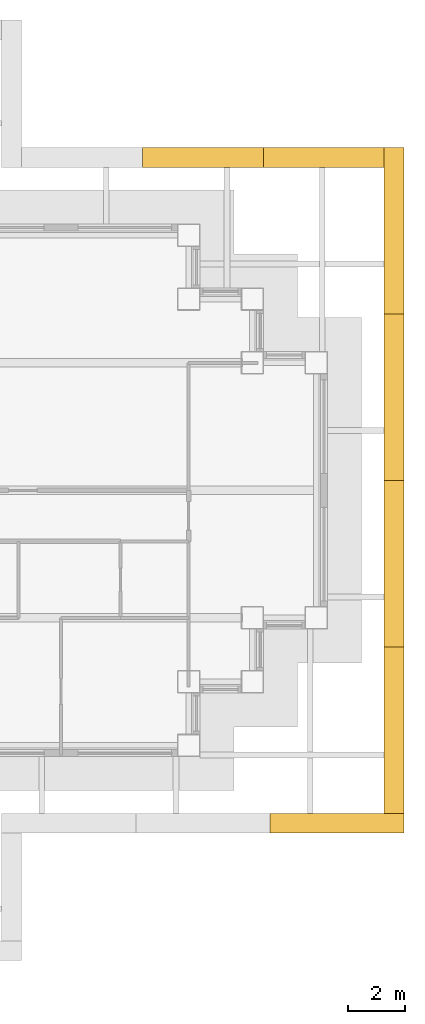
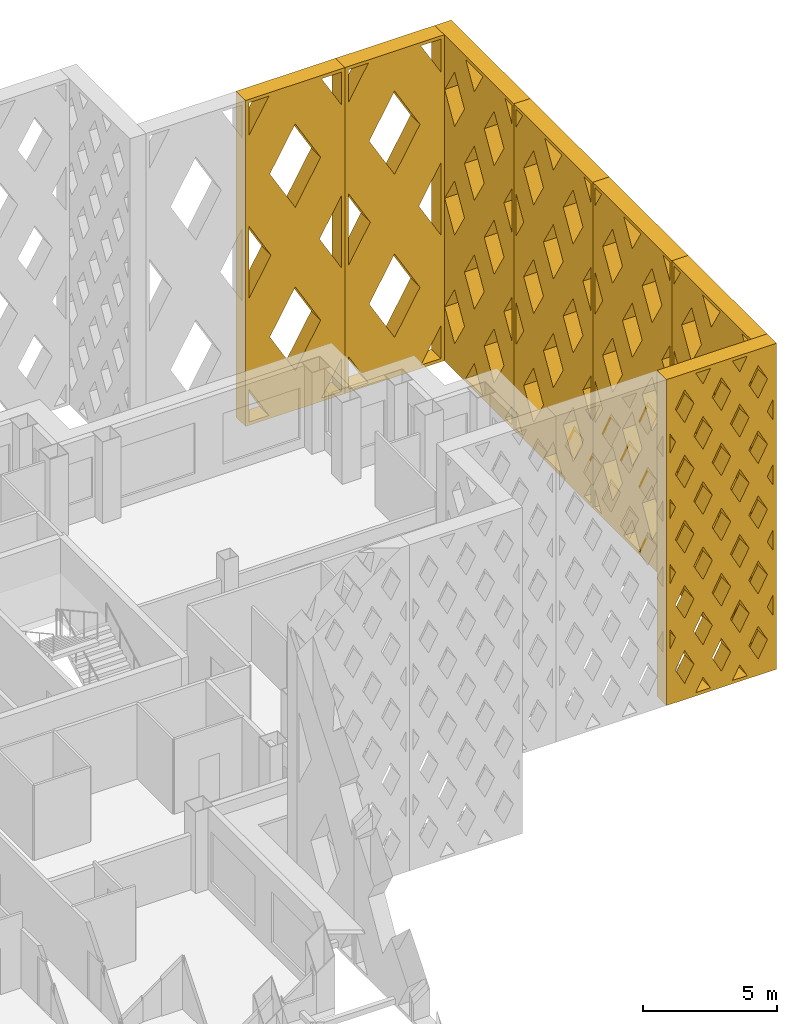
# One storey, part 19 of 19: 7 shading devices.
"""IFC4 building model written with IfcOpenShell, lengths in metres."""

from ifc_helpers import new_model, si_unit, direction, frame, origin, place, context, subcontext, project, spatial, polyline, outline, extrude, material, type_object, element, save


model = new_model("IFC4")

# Units and contexts
model_context = context("Model", 3, precision=1e-05, world=origin(), true_north=direction((0.0, 1.0)))
body_context = subcontext(model_context, "Body", "Model", "MODEL_VIEW")
ifc_project = project(units=[si_unit("LENGTHUNIT", "METRE"), si_unit("AREAUNIT", "SQUARE_METRE"), si_unit("VOLUMEUNIT", "CUBIC_METRE"), si_unit("PLANEANGLEUNIT", "RADIAN"), si_unit("MASSUNIT", "GRAM", prefix="KILO")], contexts=[model_context])

# Site, building, storey
site_placement = place(None, origin())
site = spatial("IfcSite", under=ifc_project, at=site_placement, CompositionType="ELEMENT")
building_placement = place(site_placement, origin())
building = spatial("IfcBuilding", under=site, at=building_placement, Name="Caravel Reach Hotel and Residences", CompositionType="ELEMENT")
storey_placement = place(building_placement, frame((0.0, 0.0, 150.60009765625)))
storey = spatial("IfcBuildingStorey", under=building, at=storey_placement, Name="L37", CompositionType="ELEMENT", Elevation=150.60009765625)

# Shading devices
ifc_material_1 = material(Name="Black powder-coated aluminium", Category="aluminium")
shading_device_type_1 = type_object("IfcShadingDeviceType", Name="Diamond lattice screen panel 4267 x 14800", PredefinedType="USERDEFINED", material=ifc_material_1)
for number, where, z_axis, x_axis, name in (
    (1, (65.39990234375, 38.39990234375, 0.0), (0.0, 1.0, 0.0), (-1.0, 0.0, 0.0), "Lattice screen L37-L40 8.1"),
    (2, (61.13330078125, 38.39990234375, 0.0), (0.0, 1.0, 0.0), (-1.0, 0.0, 0.0), "Lattice screen L37-L40 8.2"),
):
    element("IfcShadingDevice", number, at=place(storey_placement, frame(where, z_axis=z_axis, x_axis=x_axis)), inside=storey, type_object=shading_device_type_1, Name=name, ObjectType="SCREEN", PredefinedType="USERDEFINED", context=body_context, shape_type="SweptSolid", body=[
        extrude(outline(polyline([(0.0, 0.0), (4.2666015625, 0.0), (4.2666015625, 14.800048828125), (0.0, 14.800048828125), (0.0, 0.0)]), holes=[polyline([(1.005615234375, 0.14990234375), (0.14990234375, 1.634033203125), (0.14990234375, 0.14990234375), (1.005615234375, 0.14990234375)]), polyline([(1.092041015625, 7.39990234375), (0.14990234375, 9.033935546875), (0.14990234375, 5.76611328125), (1.092041015625, 7.39990234375)]), polyline([(0.14990234375, 13.166015625), (1.005615234375, 14.64990234375), (0.14990234375, 14.64990234375), (0.14990234375, 13.166015625)]), polyline([(2.13330078125, 5.593994140625), (1.041259765625, 3.699951171875), (2.13330078125, 1.805908203125), (3.225341796875, 3.699951171875), (2.13330078125, 5.593994140625)]), polyline([(2.13330078125, 12.994140625), (1.041259765625, 11.10009765625), (2.13330078125, 9.205810546875), (3.225341796875, 11.10009765625), (2.13330078125, 12.994140625)]), polyline([(4.11669921875, 1.634033203125), (3.260986328125, 0.14990234375), (4.11669921875, 0.14990234375), (4.11669921875, 1.634033203125)]), polyline([(3.174560546875, 7.39990234375), (4.11669921875, 5.76611328125), (4.11669921875, 9.033935546875), (3.174560546875, 7.39990234375)]), polyline([(3.260986328125, 14.64990234375), (4.11669921875, 13.166015625), (4.11669921875, 14.64990234375), (3.260986328125, 14.64990234375)])]), origin(), (0.0, 0.0, 1.0), 0.7001953125),
    ])
ifc_material_2 = material(Name="Black powder-coated aluminium", Category="aluminium")
shading_device_type_2 = type_object("IfcShadingDeviceType", Name="Diamond lattice screen panel 4733 x 14800", PredefinedType="USERDEFINED", material=ifc_material_2)
shading_device_1_placement = place(storey_placement, frame((61.36669921875, 15.60009765625, 0.0), z_axis=(0.0, -1.0, 0.0), x_axis=(1.0, 0.0, 0.0)))
element("IfcShadingDevice", 3, at=shading_device_1_placement, inside=storey, type_object=shading_device_type_2, Name="Lattice screen L37-L40 6.3", ObjectType="SCREEN", PredefinedType="USERDEFINED", context=body_context, shape_type="SweptSolid", body=[
    extrude(outline(polyline([(0.0, 0.0), (4.7333984375, 0.0), (4.7333984375, 14.800048828125), (0.0, 14.800048828125), (0.0, 0.0)]), holes=[polyline([(0.398681640625, 2.9599609375), (0.14990234375, 3.4267578125), (0.14990234375, 2.493408203125), (0.398681640625, 2.9599609375)]), polyline([(0.398681640625, 5.919921875), (0.14990234375, 6.38671875), (0.14990234375, 5.453369140625), (0.398681640625, 5.919921875)]), polyline([(0.398681640625, 8.8798828125), (0.14990234375, 9.3466796875), (0.14990234375, 8.413330078125), (0.398681640625, 8.8798828125)]), polyline([(0.398681640625, 11.840087890625), (0.14990234375, 12.306640625), (0.14990234375, 11.373291015625), (0.398681640625, 11.840087890625)]), polyline([(0.788818359375, 2.22802734375), (0.39013671875, 1.47998046875), (0.788818359375, 0.73193359375), (1.187744140625, 1.47998046875), (0.788818359375, 2.22802734375)]), polyline([(0.788818359375, 5.18798828125), (0.39013671875, 4.43994140625), (0.788818359375, 3.69189453125), (1.187744140625, 4.43994140625), (0.788818359375, 5.18798828125)]), polyline([(0.788818359375, 8.14794921875), (0.39013671875, 7.39990234375), (0.788818359375, 6.65185546875), (1.187744140625, 7.39990234375), (0.788818359375, 8.14794921875)]), polyline([(0.788818359375, 11.108154296875), (0.39013671875, 10.360107421875), (0.788818359375, 9.612060546875), (1.187744140625, 10.360107421875), (0.788818359375, 11.108154296875)]), polyline([(0.788818359375, 14.068115234375), (0.39013671875, 13.320068359375), (0.788818359375, 12.572021484375), (1.187744140625, 13.320068359375), (0.788818359375, 14.068115234375)]), polyline([(1.577880859375, 0.748046875), (1.259033203125, 0.14990234375), (1.896484375, 0.14990234375), (1.577880859375, 0.748046875)]), polyline([(1.577880859375, 3.7080078125), (1.178955078125, 2.9599609375), (1.577880859375, 2.2119140625), (1.9765625, 2.9599609375), (1.577880859375, 3.7080078125)]), polyline([(1.577880859375, 6.66796875), (1.178955078125, 5.919921875), (1.577880859375, 5.171875), (1.9765625, 5.919921875), (1.577880859375, 6.66796875)]), polyline([(1.577880859375, 9.6279296875), (1.178955078125, 8.8798828125), (1.577880859375, 8.1318359375), (1.9765625, 8.8798828125), (1.577880859375, 9.6279296875)]), polyline([(1.577880859375, 12.588134765625), (1.178955078125, 11.840087890625), (1.577880859375, 11.092041015625), (1.9765625, 11.840087890625), (1.577880859375, 12.588134765625)]), polyline([(1.577880859375, 14.052001953125), (1.896484375, 14.64990234375), (1.259033203125, 14.64990234375), (1.577880859375, 14.052001953125)]), polyline([(2.36669921875, 2.22802734375), (1.968017578125, 1.47998046875), (2.36669921875, 0.73193359375), (2.765380859375, 1.47998046875), (2.36669921875, 2.22802734375)]), polyline([(2.36669921875, 5.18798828125), (1.968017578125, 4.43994140625), (2.36669921875, 3.69189453125), (2.765380859375, 4.43994140625), (2.36669921875, 5.18798828125)]), polyline([(2.36669921875, 8.14794921875), (1.968017578125, 7.39990234375), (2.36669921875, 6.65185546875), (2.765380859375, 7.39990234375), (2.36669921875, 8.14794921875)]), polyline([(2.36669921875, 11.108154296875), (1.968017578125, 10.360107421875), (2.36669921875, 9.612060546875), (2.765380859375, 10.360107421875), (2.36669921875, 11.108154296875)]), polyline([(2.36669921875, 14.068115234375), (1.968017578125, 13.320068359375), (2.36669921875, 12.572021484375), (2.765380859375, 13.320068359375), (2.36669921875, 14.068115234375)]), polyline([(3.155517578125, 0.748046875), (2.836669921875, 0.14990234375), (3.474365234375, 0.14990234375), (3.155517578125, 0.748046875)]), polyline([(3.155517578125, 3.7080078125), (2.7568359375, 2.9599609375), (3.155517578125, 2.2119140625), (3.55419921875, 2.9599609375), (3.155517578125, 3.7080078125)]), polyline([(3.155517578125, 6.66796875), (2.7568359375, 5.919921875), (3.155517578125, 5.171875), (3.55419921875, 5.919921875), (3.155517578125, 6.66796875)]), polyline([(3.155517578125, 9.6279296875), (2.7568359375, 8.8798828125), (3.155517578125, 8.1318359375), (3.55419921875, 8.8798828125), (3.155517578125, 9.6279296875)]), polyline([(3.155517578125, 12.588134765625), (2.7568359375, 11.840087890625), (3.155517578125, 11.092041015625), (3.55419921875, 11.840087890625), (3.155517578125, 12.588134765625)]), polyline([(3.155517578125, 14.052001953125), (3.474365234375, 14.64990234375), (2.836669921875, 14.64990234375), (3.155517578125, 14.052001953125)]), polyline([(3.9443359375, 2.22802734375), (3.545654296875, 1.47998046875), (3.9443359375, 0.73193359375), (4.34326171875, 1.47998046875), (3.9443359375, 2.22802734375)]), polyline([(3.9443359375, 5.18798828125), (3.545654296875, 4.43994140625), (3.9443359375, 3.69189453125), (4.34326171875, 4.43994140625), (3.9443359375, 5.18798828125)]), polyline([(3.9443359375, 8.14794921875), (3.545654296875, 7.39990234375), (3.9443359375, 6.65185546875), (4.34326171875, 7.39990234375), (3.9443359375, 8.14794921875)]), polyline([(3.9443359375, 11.108154296875), (3.545654296875, 10.360107421875), (3.9443359375, 9.612060546875), (4.34326171875, 10.360107421875), (3.9443359375, 11.108154296875)]), polyline([(3.9443359375, 14.068115234375), (3.545654296875, 13.320068359375), (3.9443359375, 12.572021484375), (4.34326171875, 13.320068359375), (3.9443359375, 14.068115234375)]), polyline([(4.334716796875, 2.9599609375), (4.583251953125, 2.493408203125), (4.583251953125, 3.4267578125), (4.334716796875, 2.9599609375)]), polyline([(4.334716796875, 5.919921875), (4.583251953125, 5.453369140625), (4.583251953125, 6.38671875), (4.334716796875, 5.919921875)]), polyline([(4.334716796875, 8.8798828125), (4.583251953125, 8.413330078125), (4.583251953125, 9.3466796875), (4.334716796875, 8.8798828125)]), polyline([(4.334716796875, 11.840087890625), (4.583251953125, 11.373291015625), (4.583251953125, 12.306640625), (4.334716796875, 11.840087890625)])]), origin(), (0.0, 0.0, 1.0), 0.7001953125),
])
ifc_material_3 = material(Name="Black powder-coated aluminium", Category="aluminium")
shading_device_type_3 = type_object("IfcShadingDeviceType", Name="Diamond lattice screen panel 5875 x 14800", PredefinedType="USERDEFINED", material=ifc_material_3)
shading_device_2_placement = place(storey_placement, frame((65.39990234375, 15.60009765625, 0.0), z_axis=(1.0, 0.0, 0.0), x_axis=(0.0, 1.0, 0.0)))
element("IfcShadingDevice", 4, at=shading_device_2_placement, inside=storey, type_object=shading_device_type_3, Name="Lattice screen L37-L40 7.1", ObjectType="SCREEN", PredefinedType="USERDEFINED", context=body_context, shape_type="SweptSolid", body=[
    extrude(outline(polyline([(0.0, 0.0), (5.875, 0.0), (5.875, 14.800048828125), (0.0, 14.800048828125), (0.0, 0.0)]), holes=[polyline([(0.647216796875, 0.14990234375), (0.14990234375, 0.985107421875), (0.14990234375, 0.14990234375), (0.647216796875, 0.14990234375)]), polyline([(0.736572265625, 4.933349609375), (0.14990234375, 5.91845703125), (0.14990234375, 3.9482421875), (0.736572265625, 4.933349609375)]), polyline([(0.736572265625, 9.86669921875), (0.14990234375, 10.851806640625), (0.14990234375, 8.881591796875), (0.736572265625, 9.86669921875)]), polyline([(0.14990234375, 13.81494140625), (0.647216796875, 14.64990234375), (0.14990234375, 14.64990234375), (0.14990234375, 13.81494140625)]), polyline([(1.46875, 3.70361328125), (0.732177734375, 2.466552734375), (1.46875, 1.2294921875), (2.205322265625, 2.466552734375), (1.46875, 3.70361328125)]), polyline([(1.46875, 8.636962890625), (0.732177734375, 7.39990234375), (1.46875, 6.162841796875), (2.205322265625, 7.39990234375), (1.46875, 8.636962890625)]), polyline([(1.46875, 13.5703125), (0.732177734375, 12.333251953125), (1.46875, 11.09619140625), (2.205322265625, 12.333251953125), (1.46875, 13.5703125)]), polyline([(2.9375, 1.237060546875), (2.290283203125, 0.14990234375), (3.584716796875, 0.14990234375), (2.9375, 1.237060546875)]), polyline([(2.9375, 6.17041015625), (2.200927734375, 4.933349609375), (2.9375, 3.6962890625), (3.674072265625, 4.933349609375), (2.9375, 6.17041015625)]), polyline([(2.9375, 11.103759765625), (2.200927734375, 9.86669921875), (2.9375, 8.629638671875), (3.674072265625, 9.86669921875), (2.9375, 11.103759765625)]), polyline([(2.9375, 13.56298828125), (3.584716796875, 14.64990234375), (2.290283203125, 14.64990234375), (2.9375, 13.56298828125)]), polyline([(4.40625, 3.70361328125), (3.669677734375, 2.466552734375), (4.40625, 1.2294921875), (5.142822265625, 2.466552734375), (4.40625, 3.70361328125)]), polyline([(4.40625, 8.636962890625), (3.669677734375, 7.39990234375), (4.40625, 6.162841796875), (5.142822265625, 7.39990234375), (4.40625, 8.636962890625)]), polyline([(4.40625, 13.5703125), (3.669677734375, 12.333251953125), (4.40625, 11.09619140625), (5.142822265625, 12.333251953125), (4.40625, 13.5703125)]), polyline([(5.72509765625, 0.985107421875), (5.227783203125, 0.14990234375), (5.72509765625, 0.14990234375), (5.72509765625, 0.985107421875)]), polyline([(5.138427734375, 4.933349609375), (5.72509765625, 3.9482421875), (5.72509765625, 5.91845703125), (5.138427734375, 4.933349609375)]), polyline([(5.138427734375, 9.86669921875), (5.72509765625, 8.881591796875), (5.72509765625, 10.851806640625), (5.138427734375, 9.86669921875)]), polyline([(5.227783203125, 14.64990234375), (5.72509765625, 13.81494140625), (5.72509765625, 14.64990234375), (5.227783203125, 14.64990234375)])]), origin(), (0.0, 0.0, 1.0), 0.7001953125),
])
shading_device_3_placement = place(storey_placement, frame((65.39990234375, 21.47509765625, 0.0), z_axis=(1.0, 0.0, 0.0), x_axis=(0.0, 1.0, 0.0)))
element("IfcShadingDevice", 5, at=shading_device_3_placement, inside=storey, type_object=shading_device_type_3, Name="Lattice screen L37-L40 7.2", ObjectType="SCREEN", PredefinedType="USERDEFINED", context=body_context, shape_type="SweptSolid", body=[
    extrude(outline(polyline([(0.0, 0.0), (5.875, 0.0), (5.875, 14.800048828125), (0.0, 14.800048828125), (0.0, 0.0)]), holes=[polyline([(0.647216796875, 0.14990234375), (0.14990234375, 0.985107421875), (0.14990234375, 0.14990234375), (0.647216796875, 0.14990234375)]), polyline([(0.736572265625, 4.933349609375), (0.14990234375, 5.91845703125), (0.14990234375, 3.9482421875), (0.736572265625, 4.933349609375)]), polyline([(0.736572265625, 9.86669921875), (0.14990234375, 10.851806640625), (0.14990234375, 8.881591796875), (0.736572265625, 9.86669921875)]), polyline([(0.14990234375, 13.81494140625), (0.647216796875, 14.64990234375), (0.14990234375, 14.64990234375), (0.14990234375, 13.81494140625)]), polyline([(1.46875, 3.70361328125), (0.732177734375, 2.466552734375), (1.46875, 1.2294921875), (2.205322265625, 2.466552734375), (1.46875, 3.70361328125)]), polyline([(1.46875, 8.636962890625), (0.732177734375, 7.39990234375), (1.46875, 6.162841796875), (2.205322265625, 7.39990234375), (1.46875, 8.636962890625)]), polyline([(1.46875, 13.5703125), (0.732177734375, 12.333251953125), (1.46875, 11.09619140625), (2.205322265625, 12.333251953125), (1.46875, 13.5703125)]), polyline([(2.9375, 1.237060546875), (2.290283203125, 0.14990234375), (3.584716796875, 0.14990234375), (2.9375, 1.237060546875)]), polyline([(2.9375, 6.17041015625), (2.200927734375, 4.933349609375), (2.9375, 3.6962890625), (3.674072265625, 4.933349609375), (2.9375, 6.17041015625)]), polyline([(2.9375, 11.103759765625), (2.200927734375, 9.86669921875), (2.9375, 8.629638671875), (3.674072265625, 9.86669921875), (2.9375, 11.103759765625)]), polyline([(2.9375, 13.56298828125), (3.584716796875, 14.64990234375), (2.290283203125, 14.64990234375), (2.9375, 13.56298828125)]), polyline([(4.40625, 3.70361328125), (3.669677734375, 2.466552734375), (4.40625, 1.2294921875), (5.142822265625, 2.466552734375), (4.40625, 3.70361328125)]), polyline([(4.40625, 8.636962890625), (3.669677734375, 7.39990234375), (4.40625, 6.162841796875), (5.142822265625, 7.39990234375), (4.40625, 8.636962890625)]), polyline([(4.40625, 13.5703125), (3.669677734375, 12.333251953125), (4.40625, 11.09619140625), (5.142822265625, 12.333251953125), (4.40625, 13.5703125)]), polyline([(5.72509765625, 0.985107421875), (5.227783203125, 0.14990234375), (5.72509765625, 0.14990234375), (5.72509765625, 0.985107421875)]), polyline([(5.138427734375, 4.933349609375), (5.72509765625, 3.9482421875), (5.72509765625, 5.91845703125), (5.138427734375, 4.933349609375)]), polyline([(5.138427734375, 9.86669921875), (5.72509765625, 8.881591796875), (5.72509765625, 10.851806640625), (5.138427734375, 9.86669921875)]), polyline([(5.227783203125, 14.64990234375), (5.72509765625, 13.81494140625), (5.72509765625, 14.64990234375), (5.227783203125, 14.64990234375)])]), origin(), (0.0, 0.0, 1.0), 0.7001953125),
])
shading_device_4_placement = place(storey_placement, frame((65.39990234375, 27.35009765625, 0.0), z_axis=(1.0, 0.0, 0.0), x_axis=(0.0, 1.0, 0.0)))
element("IfcShadingDevice", 6, at=shading_device_4_placement, inside=storey, type_object=shading_device_type_3, Name="Lattice screen L37-L40 7.3", ObjectType="SCREEN", PredefinedType="USERDEFINED", context=body_context, shape_type="SweptSolid", body=[
    extrude(outline(polyline([(0.0, 0.0), (5.875, 0.0), (5.875, 14.800048828125), (0.0, 14.800048828125), (0.0, 0.0)]), holes=[polyline([(0.647216796875, 0.14990234375), (0.14990234375, 0.985107421875), (0.14990234375, 0.14990234375), (0.647216796875, 0.14990234375)]), polyline([(0.736572265625, 4.933349609375), (0.14990234375, 5.91845703125), (0.14990234375, 3.9482421875), (0.736572265625, 4.933349609375)]), polyline([(0.736572265625, 9.86669921875), (0.14990234375, 10.851806640625), (0.14990234375, 8.881591796875), (0.736572265625, 9.86669921875)]), polyline([(0.14990234375, 13.81494140625), (0.647216796875, 14.64990234375), (0.14990234375, 14.64990234375), (0.14990234375, 13.81494140625)]), polyline([(1.46875, 3.70361328125), (0.732177734375, 2.466552734375), (1.46875, 1.2294921875), (2.205322265625, 2.466552734375), (1.46875, 3.70361328125)]), polyline([(1.46875, 8.636962890625), (0.732177734375, 7.39990234375), (1.46875, 6.162841796875), (2.205322265625, 7.39990234375), (1.46875, 8.636962890625)]), polyline([(1.46875, 13.5703125), (0.732177734375, 12.333251953125), (1.46875, 11.09619140625), (2.205322265625, 12.333251953125), (1.46875, 13.5703125)]), polyline([(2.9375, 1.237060546875), (2.290283203125, 0.14990234375), (3.584716796875, 0.14990234375), (2.9375, 1.237060546875)]), polyline([(2.9375, 6.17041015625), (2.200927734375, 4.933349609375), (2.9375, 3.6962890625), (3.674072265625, 4.933349609375), (2.9375, 6.17041015625)]), polyline([(2.9375, 11.103759765625), (2.200927734375, 9.86669921875), (2.9375, 8.629638671875), (3.674072265625, 9.86669921875), (2.9375, 11.103759765625)]), polyline([(2.9375, 13.56298828125), (3.584716796875, 14.64990234375), (2.290283203125, 14.64990234375), (2.9375, 13.56298828125)]), polyline([(4.40625, 3.70361328125), (3.669677734375, 2.466552734375), (4.40625, 1.2294921875), (5.142822265625, 2.466552734375), (4.40625, 3.70361328125)]), polyline([(4.40625, 8.636962890625), (3.669677734375, 7.39990234375), (4.40625, 6.162841796875), (5.142822265625, 7.39990234375), (4.40625, 8.636962890625)]), polyline([(4.40625, 13.5703125), (3.669677734375, 12.333251953125), (4.40625, 11.09619140625), (5.142822265625, 12.333251953125), (4.40625, 13.5703125)]), polyline([(5.72509765625, 0.985107421875), (5.227783203125, 0.14990234375), (5.72509765625, 0.14990234375), (5.72509765625, 0.985107421875)]), polyline([(5.138427734375, 4.933349609375), (5.72509765625, 3.9482421875), (5.72509765625, 5.91845703125), (5.138427734375, 4.933349609375)]), polyline([(5.138427734375, 9.86669921875), (5.72509765625, 8.881591796875), (5.72509765625, 10.851806640625), (5.138427734375, 9.86669921875)]), polyline([(5.227783203125, 14.64990234375), (5.72509765625, 13.81494140625), (5.72509765625, 14.64990234375), (5.227783203125, 14.64990234375)])]), origin(), (0.0, 0.0, 1.0), 0.7001953125),
])
shading_device_5_placement = place(storey_placement, frame((65.39990234375, 33.22509765625, 0.0), z_axis=(1.0, 0.0, 0.0), x_axis=(0.0, 1.0, 0.0)))
element("IfcShadingDevice", 7, at=shading_device_5_placement, inside=storey, type_object=shading_device_type_3, Name="Lattice screen L37-L40 7.4", ObjectType="SCREEN", PredefinedType="USERDEFINED", context=body_context, shape_type="SweptSolid", body=[
    extrude(outline(polyline([(0.0, 0.0), (5.875, 0.0), (5.875, 14.800048828125), (0.0, 14.800048828125), (0.0, 0.0)]), holes=[polyline([(0.647216796875, 0.14990234375), (0.14990234375, 0.985107421875), (0.14990234375, 0.14990234375), (0.647216796875, 0.14990234375)]), polyline([(0.736572265625, 4.933349609375), (0.14990234375, 5.91845703125), (0.14990234375, 3.9482421875), (0.736572265625, 4.933349609375)]), polyline([(0.736572265625, 9.86669921875), (0.14990234375, 10.851806640625), (0.14990234375, 8.881591796875), (0.736572265625, 9.86669921875)]), polyline([(0.14990234375, 13.81494140625), (0.647216796875, 14.64990234375), (0.14990234375, 14.64990234375), (0.14990234375, 13.81494140625)]), polyline([(1.46875, 3.70361328125), (0.732177734375, 2.466552734375), (1.46875, 1.2294921875), (2.205322265625, 2.466552734375), (1.46875, 3.70361328125)]), polyline([(1.46875, 8.636962890625), (0.732177734375, 7.39990234375), (1.46875, 6.162841796875), (2.205322265625, 7.39990234375), (1.46875, 8.636962890625)]), polyline([(1.46875, 13.5703125), (0.732177734375, 12.333251953125), (1.46875, 11.09619140625), (2.205322265625, 12.333251953125), (1.46875, 13.5703125)]), polyline([(2.9375, 1.237060546875), (2.290283203125, 0.14990234375), (3.584716796875, 0.14990234375), (2.9375, 1.237060546875)]), polyline([(2.9375, 6.17041015625), (2.200927734375, 4.933349609375), (2.9375, 3.6962890625), (3.674072265625, 4.933349609375), (2.9375, 6.17041015625)]), polyline([(2.9375, 11.103759765625), (2.200927734375, 9.86669921875), (2.9375, 8.629638671875), (3.674072265625, 9.86669921875), (2.9375, 11.103759765625)]), polyline([(2.9375, 13.56298828125), (3.584716796875, 14.64990234375), (2.290283203125, 14.64990234375), (2.9375, 13.56298828125)]), polyline([(4.40625, 3.70361328125), (3.669677734375, 2.466552734375), (4.40625, 1.2294921875), (5.142822265625, 2.466552734375), (4.40625, 3.70361328125)]), polyline([(4.40625, 8.636962890625), (3.669677734375, 7.39990234375), (4.40625, 6.162841796875), (5.142822265625, 7.39990234375), (4.40625, 8.636962890625)]), polyline([(4.40625, 13.5703125), (3.669677734375, 12.333251953125), (4.40625, 11.09619140625), (5.142822265625, 12.333251953125), (4.40625, 13.5703125)]), polyline([(5.72509765625, 0.985107421875), (5.227783203125, 0.14990234375), (5.72509765625, 0.14990234375), (5.72509765625, 0.985107421875)]), polyline([(5.138427734375, 4.933349609375), (5.72509765625, 3.9482421875), (5.72509765625, 5.91845703125), (5.138427734375, 4.933349609375)]), polyline([(5.138427734375, 9.86669921875), (5.72509765625, 8.881591796875), (5.72509765625, 10.851806640625), (5.138427734375, 9.86669921875)]), polyline([(5.227783203125, 14.64990234375), (5.72509765625, 13.81494140625), (5.72509765625, 14.64990234375), (5.227783203125, 14.64990234375)])]), origin(), (0.0, 0.0, 1.0), 0.7001953125),
])

save(model, "model.ifc")
